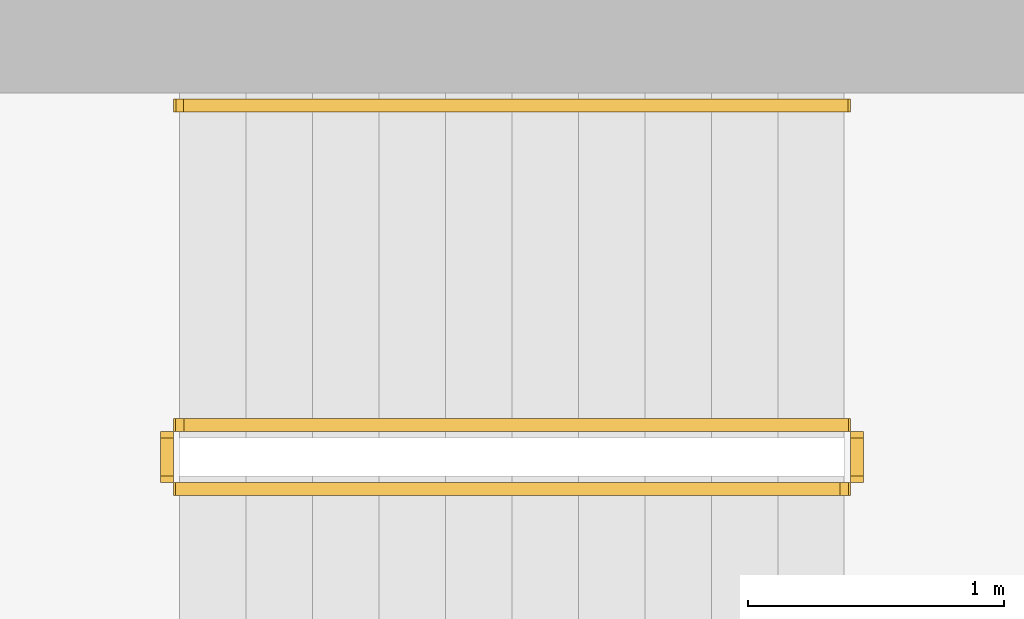
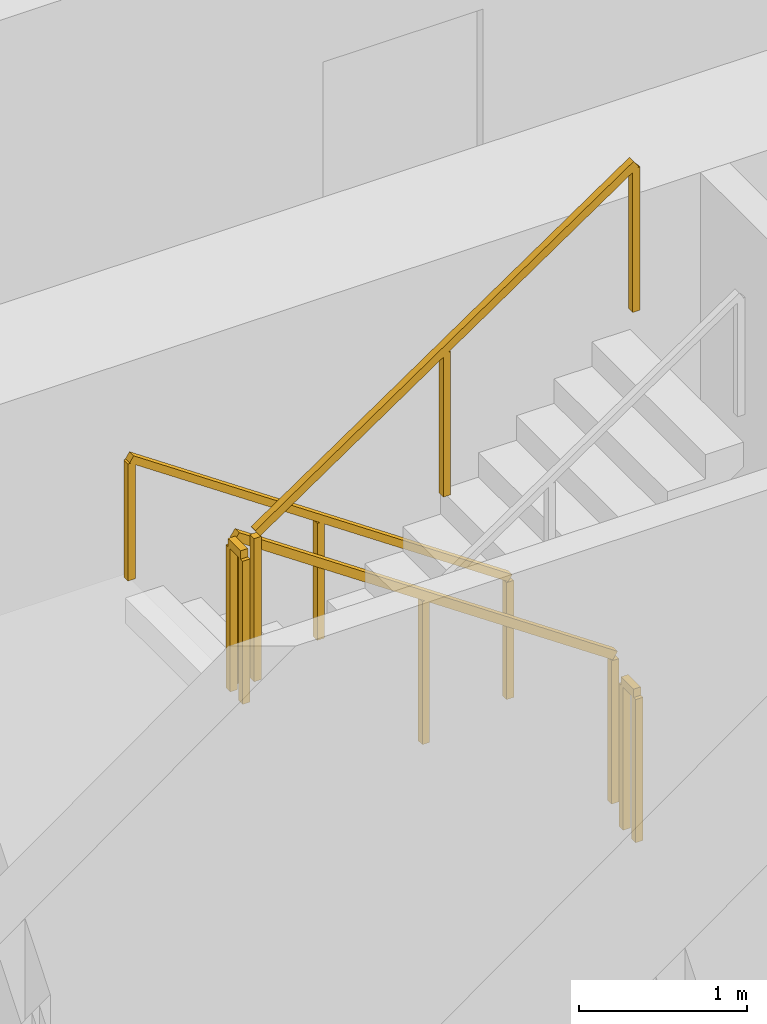
# One storey, part 14 of 15: 5 railings.
"""IFC4 building model written with IfcOpenShell, lengths in metres."""

import ifcopenshell
import ifcopenshell.guid

model = None  # the IFC model being written
_history = None  # IfcOwnerHistory: only IFC2X3 demands one
_inside = {}  # id of a spatial element -> (the spatial element, [elements in it])
_under = {}  # id of a project, library or spatial element -> (it, [spatial elements below it])
_declared = {}  # id of a project -> (the project, [libraries it declares])
_typed = {}  # id of a type object -> (the type object, [elements of that type])
_made_of = {}  # id of a material, layer set ... -> (it, [elements and type objects made of it])


def new_model(schema):
    """Start an empty IFC model of exactly this schema.

    Asked for "IFC4X3", IfcOpenShell would pick the latest addendum, in which some entities
    have other attributes; the version numbers below select the first issue.
    IFC2X3 requires an IfcOwnerHistory on every rooted entity: one is made here for all.
    """
    global model, _history
    if schema == "IFC4X3":
        model = ifcopenshell.file(schema_version=(4, 3, 0, 0))
    else:
        model = ifcopenshell.file(schema=schema)
    _inside.clear()
    _under.clear()
    _declared.clear()
    _typed.clear()
    _made_of.clear()
    _history = None
    if model.schema == "IFC2X3":
        org = make("IfcOrganization", Name="unknown")
        user = make(
            "IfcPersonAndOrganization",
            ThePerson=make("IfcPerson", FamilyName="unknown"),
            TheOrganization=org,
        )
        app = make(
            "IfcApplication",
            ApplicationDeveloper=org,
            Version="unknown",
            ApplicationFullName="unknown",
            ApplicationIdentifier="unknown",
        )
        _history = make(
            "IfcOwnerHistory",
            OwningUser=user,
            OwningApplication=app,
            ChangeAction="ADDED",
            CreationDate=0,
        )
    return model


def make(cls, **values):
    """One entity of the class cls with the attributes given. An attribute that is None is left unset."""
    return model.create_entity(
        cls, **{name: value for name, value in values.items() if value is not None}
    )


def rooted(cls, **values):
    """An entity with a GlobalId (a new one), such as an element, a storey or a relation."""
    return make(cls, GlobalId=ifcopenshell.guid.new(), OwnerHistory=_history, **values)


def si_unit(unit_type, name, prefix=None):
    """IfcSIUnit, for example si_unit("LENGTHUNIT", "METRE", prefix="MILLI")."""
    return make("IfcSIUnit", UnitType=unit_type, Prefix=prefix, Name=name)


def assignment(units):
    """IfcUnitAssignment: the units of a project."""
    return None if units is None else make("IfcUnitAssignment", Units=units)


def point(xyz):
    """IfcCartesianPoint."""
    return None if xyz is None else make("IfcCartesianPoint", Coordinates=xyz)


def direction(xyz):
    """IfcDirection."""
    return None if xyz is None else make("IfcDirection", DirectionRatios=xyz)


def frame(location, z_axis=None, x_axis=None):
    """IfcAxis2Placement3D, a coordinate frame: its origin and axes. An axis left out is left unset."""
    return make(
        "IfcAxis2Placement3D",
        Location=point(location),
        Axis=direction(z_axis),
        RefDirection=direction(x_axis),
    )


def frame_2d(location, x_axis=None):
    """IfcAxis2Placement2D, a coordinate frame in the plane: its origin and x axis."""
    return make(
        "IfcAxis2Placement2D", Location=point(location), RefDirection=direction(x_axis)
    )


def origin():
    """The frame at (0, 0, 0) with its axes left unset."""
    return frame((0.0, 0.0, 0.0))


def origin_2d():
    """The frame at (0, 0) in the plane with its x axis left unset."""
    return frame_2d((0.0, 0.0))


def place(relative_to, where):
    """IfcLocalPlacement: puts the frame where relative to a parent placement (None: the world)."""
    return make(
        "IfcLocalPlacement", PlacementRelTo=relative_to, RelativePlacement=where
    )


def context(
    kind, dimensions, precision=None, world=None, true_north=None, identifier=None
):
    """IfcGeometricRepresentationContext, for example the 3D "Model" context."""
    return make(
        "IfcGeometricRepresentationContext",
        ContextIdentifier=identifier,
        ContextType=kind,
        CoordinateSpaceDimension=dimensions,
        Precision=precision,
        WorldCoordinateSystem=world,
        TrueNorth=true_north,
    )


def subcontext(parent, identifier, kind, view, scale=None):
    """IfcGeometricRepresentationSubContext, for example "Body" below "Model"."""
    return make(
        "IfcGeometricRepresentationSubContext",
        ContextIdentifier=identifier,
        ContextType=kind,
        ParentContext=parent,
        TargetScale=scale,
        TargetView=view,
    )


def project(units=None, contexts=None):
    """IfcProject with its units and contexts."""
    return rooted(
        "IfcProject",
        Name="project",
        RepresentationContexts=contexts,
        UnitsInContext=assignment(units),
    )


def spatial(cls, under=None, at=None, **own):
    """A site, building, storey or space (cls), placed at a placement, below another one or the project."""
    s = rooted(cls, ObjectPlacement=at, **own)
    if under is not None:
        _under.setdefault(under.id(), (under, []))[1].append(s)
    return s


def profile(cls, at=None, kind="AREA", **sizes):
    """A parametric profile (cls). Its sizes go by their IFC names, for example OverallWidth=200.0."""
    return make(cls, ProfileType=kind, Position=at, **sizes)


def rectangle(**sizes):
    """IfcRectangleProfileDef."""
    return profile("IfcRectangleProfileDef", **sizes)


def extrude(swept, where, along, depth):
    """IfcExtrudedAreaSolid: the profile swept, set in the frame where, extruded along a direction by depth."""
    return make(
        "IfcExtrudedAreaSolid",
        SweptArea=swept,
        Position=where,
        ExtrudedDirection=direction(along),
        Depth=depth,
    )


def shape(context_of_items, identifier, shape_type, items):
    """IfcShapeRepresentation: the items that make up one representation, for example the "Body"."""
    return make(
        "IfcShapeRepresentation",
        ContextOfItems=context_of_items,
        RepresentationIdentifier=identifier,
        RepresentationType=shape_type,
        Items=items,
    )


def material(Name=None, Category=None):
    """IfcMaterial."""
    return make("IfcMaterial", Name=Name, Category=Category)


def made_of(thing, what):
    """Note that an element or type object is made of a material, layer set ...; save() writes the relation."""
    if what is not None:
        _made_of.setdefault(what.id(), (what, []))[1].append(thing)
    return thing


def type_object(cls, material=None, **own):
    """A type object (cls), such as IfcWallType, which elements share."""
    return made_of(rooted(cls, **own), material)


def element(
    cls,
    number,
    at=None,
    inside=None,
    cuts=None,
    type_object=None,
    material=None,
    context=None,
    identifier="Body",
    shape_type=None,
    held_by="IfcProductDefinitionShape",
    body=None,
    shapes=None,
    **own,
):
    """One element of the class cls, such as IfcWall. Its Tag is "e" and its number.

    at: its placement. inside: the storey or other place that contains it. cuts: it is an
    opening in that element (IfcRelVoidsElement). A single representation is given by context,
    identifier, shape_type and body (its items); several are given by shapes. held_by: the class
    of the entity that holds the representations. save() writes the other relations.
    """
    e = rooted(cls, Tag="e%d" % number, ObjectPlacement=at, **own)
    if body is not None:
        shapes = [shape(context, identifier, shape_type, body)]
    if shapes is not None:
        e.Representation = make(held_by, Representations=shapes)
    if inside is not None:
        _inside.setdefault(inside.id(), (inside, []))[1].append(e)
    if cuts is not None:
        rooted(
            "IfcRelVoidsElement", RelatingBuildingElement=cuts, RelatedOpeningElement=e
        )
    if type_object is not None:
        _typed.setdefault(type_object.id(), (type_object, []))[1].append(e)
    return made_of(e, material)


def aggregate(whole, parts):
    """IfcRelAggregates: a whole, such as a stair, and the parts it consists of."""
    return rooted("IfcRelAggregates", RelatingObject=whole, RelatedObjects=parts)


def save(model, path):
    """Write the relations noted so far, then the file.

    IfcRelAggregates (storeys below a building ...), IfcRelContainedInSpatialStructure (elements
    in a storey), IfcRelDefinesByType, IfcRelAssociatesMaterial and IfcRelDeclares: one each for
    every whole, place, type object, material and project.
    """
    for whole, parts in _under.values():
        aggregate(whole, parts)
    for where, things in _inside.values():
        rooted(
            "IfcRelContainedInSpatialStructure",
            RelatedElements=things,
            RelatingStructure=where,
        )
    for kind, things in _typed.values():
        rooted("IfcRelDefinesByType", RelatedObjects=things, RelatingType=kind)
    for what, things in _made_of.values():
        rooted("IfcRelAssociatesMaterial", RelatedObjects=things, RelatingMaterial=what)
    for by, libraries in _declared.values():
        rooted("IfcRelDeclares", RelatingContext=by, RelatedDefinitions=libraries)
    model.write(path)


model = new_model("IFC4")

# Units and contexts
model_context = context("Model", 3, precision=1e-05, world=origin(), true_north=direction((0.0, 1.0)))
body_context = subcontext(model_context, "Body", "Model", "MODEL_VIEW")
ifc_project = project(units=[si_unit("LENGTHUNIT", "METRE"), si_unit("AREAUNIT", "SQUARE_METRE"), si_unit("VOLUMEUNIT", "CUBIC_METRE"), si_unit("PLANEANGLEUNIT", "RADIAN"), si_unit("MASSUNIT", "GRAM", prefix="KILO")], contexts=[model_context])

# Site, building, storey
site_placement = place(None, origin())
site = spatial("IfcSite", under=ifc_project, at=site_placement, CompositionType="ELEMENT")
building_placement = place(site_placement, origin())
building = spatial("IfcBuilding", under=site, at=building_placement, Name="Khepri Terraces", CompositionType="ELEMENT")
storey_placement = place(building_placement, frame((0.0, 0.0, 54.300048828125)))
storey = spatial("IfcBuildingStorey", under=building, at=storey_placement, Name="L12", CompositionType="ELEMENT", Elevation=54.300048828125)

# Railings
ifc_material = material(Name="Stainless steel 316", Category="steel")
railing_type_1 = type_object("IfcRailingType", Name="RL-CORE-GUARD", PredefinedType="GUARDRAIL", material=ifc_material)
railing_1_placement = place(storey_placement, frame((-0.25, 8.800048828125, 0.17724609375)))
element("IfcRailing", 1, at=railing_1_placement, inside=storey, type_object=railing_type_1, Name="L12 ST-3 stair guard 1", PredefinedType="GUARDRAIL", context=body_context, shape_type="SweptSolid", body=[
    extrude(rectangle(XDim=0.050048828125, YDim=0.06005859375, at=origin_2d()), frame((0.0, 0.0, 1.070068359375), z_axis=(-0.826240473404, 0.0, 0.563317565952), x_axis=(0.0, -1.0, 0.0)), (0.0, 0.0, 1.0), 3.14697265625),
    extrude(rectangle(XDim=0.050048828125, YDim=0.050048828125, at=origin_2d()), origin(), (0.0, 0.0, 1.0), 1.0400390625),
    extrude(rectangle(XDim=0.050048828125, YDim=0.050048828125, at=origin_2d()), frame((-1.300048828125, 0.0, 0.88623046875)), (0.0, 0.0, 1.0), 1.0400390625),
    extrude(rectangle(XDim=0.050048828125, YDim=0.050048828125, at=origin_2d()), frame((-2.60009765625, 0.0, 1.772705078125)), (0.0, 0.0, 1.0), 1.0400390625),
])
railing_2_placement = place(storey_placement, frame((-2.89990234375, 8.75, 1.949951171875)))
element("IfcRailing", 2, at=railing_2_placement, inside=storey, type_object=railing_type_1, Name="L12 ST-3 stair guard 2", PredefinedType="GUARDRAIL", context=body_context, shape_type="SweptSolid", body=[
    extrude(rectangle(XDim=0.050048828125, YDim=0.06005859375, at=origin_2d()), frame((0.0, 0.0, 1.070068359375), z_axis=(0.0, -1.0, 0.0), x_axis=(1.0, 0.0, 0.0)), (0.0, 0.0, 1.0), 0.14990234375),
    extrude(rectangle(XDim=0.050048828125, YDim=0.050048828125, at=origin_2d()), origin(), (0.0, 0.0, 1.0), 1.0400390625),
    extrude(rectangle(XDim=0.050048828125, YDim=0.050048828125, at=origin_2d()), frame((0.0, -0.14990234375, 0.0)), (0.0, 0.0, 1.0), 1.0400390625),
])
railing_3_placement = place(storey_placement, frame((-2.85009765625, 8.550048828125, 2.127197265625)))
element("IfcRailing", 3, at=railing_3_placement, inside=storey, type_object=railing_type_1, Name="L12 ST-3 stair guard 3", PredefinedType="GUARDRAIL", context=body_context, shape_type="SweptSolid", body=[
    extrude(rectangle(XDim=0.050048828125, YDim=0.06005859375, at=origin_2d()), frame((0.0, 0.0, 1.070068359375), z_axis=(0.826240473404, 0.0, 0.563317565952), x_axis=(0.0, 1.0, 0.0)), (0.0, 0.0, 1.0), 3.14697265625),
    extrude(rectangle(XDim=0.050048828125, YDim=0.050048828125, at=origin_2d()), origin(), (0.0, 0.0, 1.0), 1.0400390625),
    extrude(rectangle(XDim=0.050048828125, YDim=0.050048828125, at=origin_2d()), frame((1.300048828125, 0.0, 0.88623046875)), (0.0, 0.0, 1.0), 1.0400390625),
    extrude(rectangle(XDim=0.050048828125, YDim=0.050048828125, at=origin_2d()), frame((2.60009765625, 0.0, 1.772705078125)), (0.0, 0.0, 1.0), 1.0400390625),
])
railing_4_placement = place(storey_placement, frame((-0.199951171875, 8.75, 0.0)))
element("IfcRailing", 4, at=railing_4_placement, inside=storey, type_object=railing_type_1, Name="L12 ST-3 stair guard 4", PredefinedType="GUARDRAIL", context=body_context, shape_type="SweptSolid", body=[
    extrude(rectangle(XDim=0.050048828125, YDim=0.06005859375, at=origin_2d()), frame((0.0, 0.0, 1.070068359375), z_axis=(0.0, -1.0, 0.0), x_axis=(1.0, 0.0, 0.0)), (0.0, 0.0, 1.0), 0.14990234375),
    extrude(rectangle(XDim=0.050048828125, YDim=0.050048828125, at=origin_2d()), origin(), (0.0, 0.0, 1.0), 1.0400390625),
    extrude(rectangle(XDim=0.050048828125, YDim=0.050048828125, at=origin_2d()), frame((0.0, -0.14990234375, 0.0)), (0.0, 0.0, 1.0), 1.0400390625),
])
railing_type_2 = type_object("IfcRailingType", Name="RL-CORE-HANDRAIL", PredefinedType="HANDRAIL", material=ifc_material)
railing_5_placement = place(storey_placement, frame((-0.25, 10.050048828125, 0.17724609375)))
element("IfcRailing", 5, at=railing_5_placement, inside=storey, type_object=railing_type_2, Name="L12 ST-3 stair handrail 1", PredefinedType="HANDRAIL", context=body_context, shape_type="SweptSolid", body=[
    extrude(rectangle(XDim=0.050048828125, YDim=0.050048828125, at=origin_2d()), frame((0.0, 0.0, 0.875), z_axis=(-0.826240473404, 0.0, 0.563317565952), x_axis=(0.0, -1.0, 0.0)), (0.0, 0.0, 1.0), 3.14697265625),
    extrude(rectangle(XDim=0.050048828125, YDim=0.050048828125, at=origin_2d()), origin(), (0.0, 0.0, 1.0), 0.849853515625),
    extrude(rectangle(XDim=0.050048828125, YDim=0.050048828125, at=origin_2d()), frame((-1.300048828125, 0.0, 0.88623046875)), (0.0, 0.0, 1.0), 0.849853515625),
    extrude(rectangle(XDim=0.050048828125, YDim=0.050048828125, at=origin_2d()), frame((-2.60009765625, 0.0, 1.772705078125)), (0.0, 0.0, 1.0), 0.849853515625),
])

save(model, "model.ifc")
